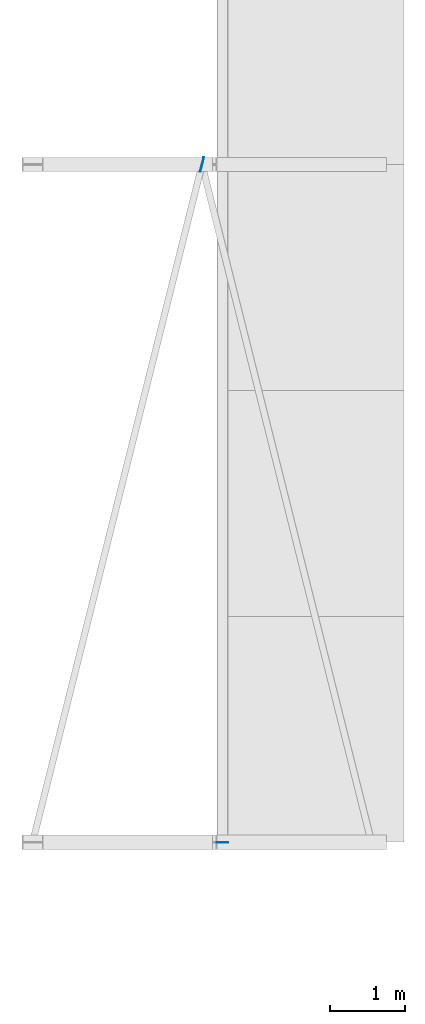
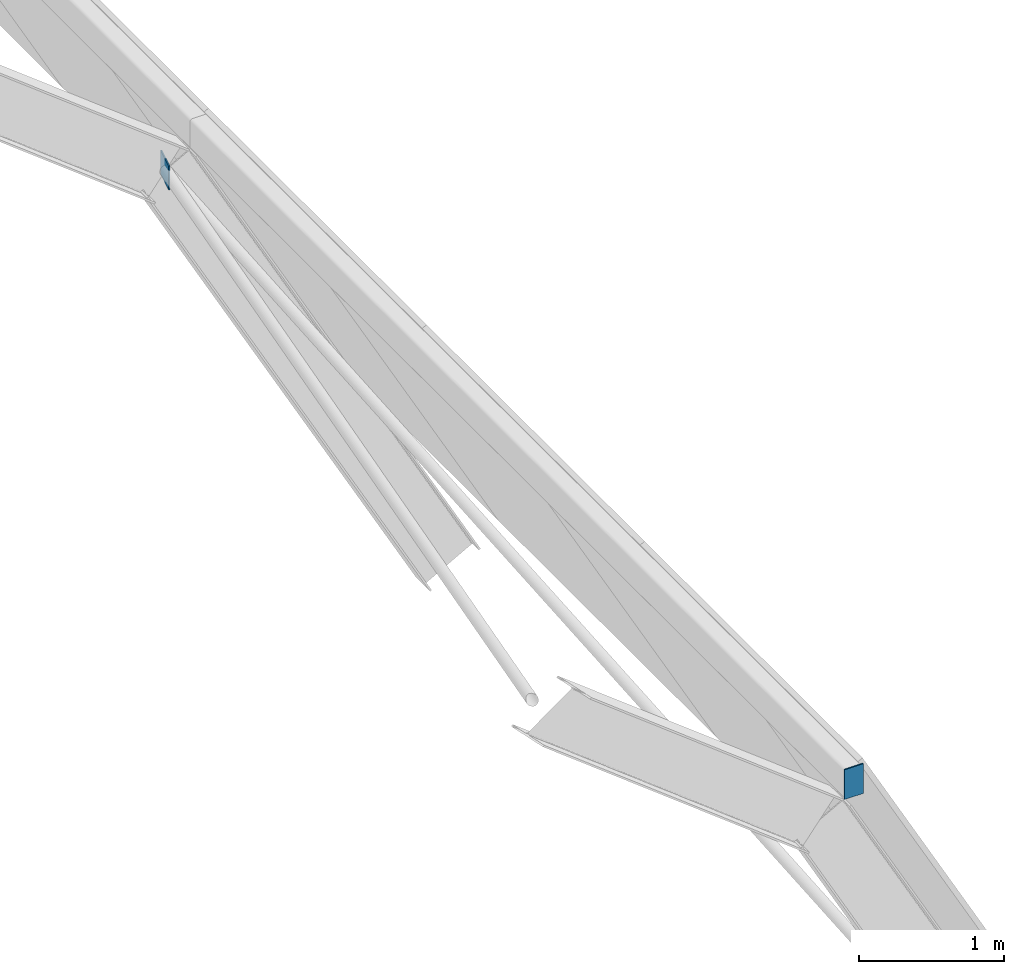
# One storey, part 53 of 62: 2 discrete accessories.
"""IFC4 building model written with IfcOpenShell, lengths in metres."""

from ifc_helpers import new_model, si_unit, direction, frame, origin, origin_2d, place, context, subcontext, project, spatial, rectangle, extrude, material, type_object, element, save


model = new_model("IFC4")

# Units and contexts
model_context = context("Model", 3, precision=1e-05, world=origin(), true_north=direction((0.0, 1.0)))
body_context = subcontext(model_context, "Body", "Model", "MODEL_VIEW")
ifc_project = project(units=[si_unit("LENGTHUNIT", "METRE"), si_unit("AREAUNIT", "SQUARE_METRE"), si_unit("VOLUMEUNIT", "CUBIC_METRE"), si_unit("PLANEANGLEUNIT", "RADIAN"), si_unit("MASSUNIT", "GRAM", prefix="KILO")], contexts=[model_context])

# Site, building, storey
site_placement = place(None, origin())
site = spatial("IfcSite", under=ifc_project, at=site_placement, CompositionType="ELEMENT")
building_placement = place(site_placement, origin())
building = spatial("IfcBuilding", under=site, at=building_placement, Name="Hortulan Conservatory and Botanical Research Centre", CompositionType="ELEMENT")
storey_placement = place(building_placement, frame((0.0, 0.0, 15.0)))
storey = spatial("IfcBuildingStorey", under=building, at=storey_placement, Name="L03", CompositionType="ELEMENT", Elevation=15.0)

# Discrete accessories
ifc_material = material(Name="Steel Grade 300 plate (AS/NZS 3678, 280 MPa minimum yield)", Category="steel")
discrete_accessory_type_1 = type_object("IfcDiscreteAccessoryType", Name="End Plate 200x10", PredefinedType="BRACKET", material=ifc_material)
discrete_accessory_1_placement = place(storey_placement, frame((105.75, 45.0, 2.9912109375), z_axis=(0.0, 0.0, 1.0), x_axis=(0.242531502591, 0.970143530747, 0.0)))
element("IfcDiscreteAccessory", 1, at=discrete_accessory_1_placement, inside=storey, type_object=discrete_accessory_type_1, Name="Brace end plate", PredefinedType="BRACKET", context=body_context, shape_type="SweptSolid", body=[
    extrude(rectangle(XDim=0.199951171875, YDim=0.010009765625, at=origin_2d()), origin(), (0.0, 0.0, 1.0), 0.199951171875),
])
discrete_accessory_type_2 = type_object("IfcDiscreteAccessoryType", Name="End Plate 250x10", PredefinedType="BRACKET", material=ifc_material)
discrete_accessory_2_placement = place(storey_placement, frame((106.0205078125, 35.9951171875, 3.197021484375), z_axis=(0.0, 0.0, 1.0), x_axis=(1.0, 0.0, 0.0)))
element("IfcDiscreteAccessory", 2, at=discrete_accessory_2_placement, inside=storey, type_object=discrete_accessory_type_2, Name="Vault purlin 7 end plate S", PredefinedType="BRACKET", context=body_context, shape_type="SweptSolid", body=[
    extrude(rectangle(XDim=0.14990234375, YDim=0.010009765625, at=origin_2d()), origin(), (0.0, 0.0, 1.0), 0.25),
])

save(model, "model.ifc")
